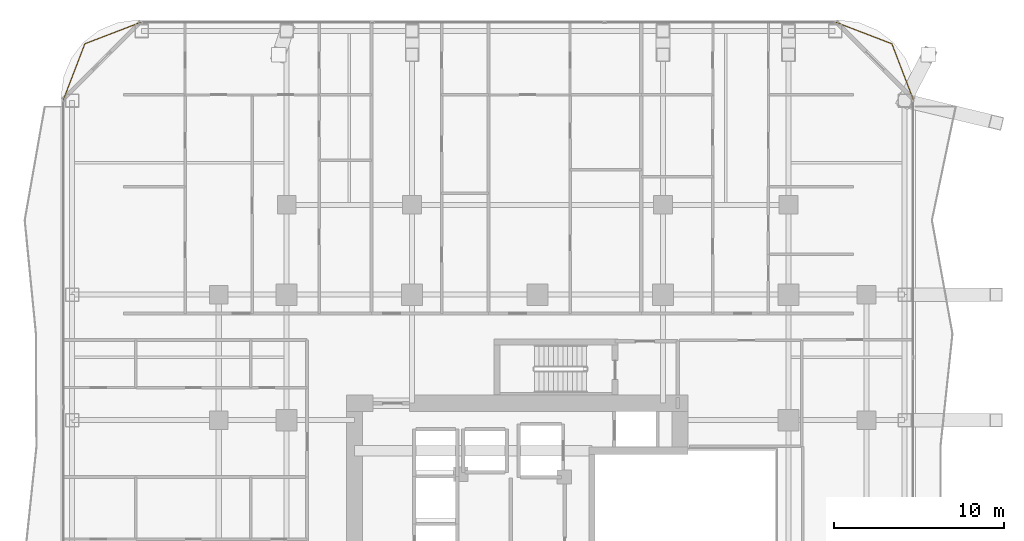
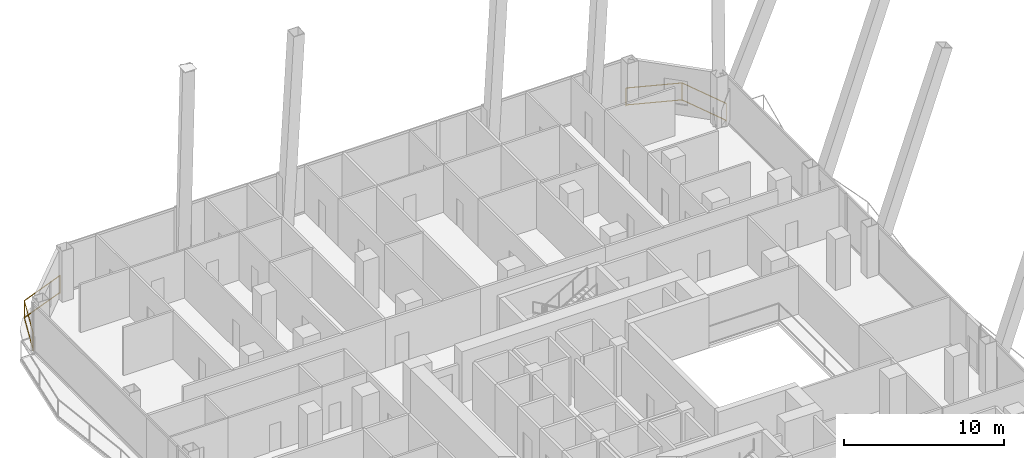
# One storey, part 32 of 32: 2 railings.
"""IFC4 building model written with IfcOpenShell, lengths in metres."""

from ifc_helpers import new_model, si_unit, direction, frame, origin, origin_2d, place, context, subcontext, project, spatial, rectangle, extrude, material, type_object, element, save


model = new_model("IFC4")

# Units and contexts
model_context = context("Model", 3, precision=1e-05, world=origin(), true_north=direction((0.0, 1.0)))
body_context = subcontext(model_context, "Body", "Model", "MODEL_VIEW")
ifc_project = project(units=[si_unit("LENGTHUNIT", "METRE"), si_unit("AREAUNIT", "SQUARE_METRE"), si_unit("VOLUMEUNIT", "CUBIC_METRE"), si_unit("PLANEANGLEUNIT", "RADIAN"), si_unit("MASSUNIT", "GRAM", prefix="KILO")], contexts=[model_context])

# Site, building, storey
site_placement = place(None, origin())
site = spatial("IfcSite", under=ifc_project, at=site_placement, CompositionType="ELEMENT")
building_placement = place(site_placement, origin())
building = spatial("IfcBuilding", under=site, at=building_placement, Name="Khorvyn Point Tower", CompositionType="ELEMENT")
storey_placement = place(building_placement, frame((0.0, 0.0, 93.0)))
storey = spatial("IfcBuildingStorey", under=building, at=storey_placement, Name="L23", CompositionType="ELEMENT", Elevation=93.0)

# Railings
ifc_material = material(Name="Anodised aluminium 6063-T6 and laminated safety glass", Category="aluminium")
railing_type = type_object("IfcRailingType", Name="Laminated Glass and Aluminium Balcony Guardrail 1400", PredefinedType="BALUSTRADE", material=ifc_material)
railing_1_placement = place(storey_placement, frame((-23.370849609375, 30.8740234375, 0.0)))
element("IfcRailing", 1, at=railing_1_placement, inside=storey, type_object=railing_type, Name="L23 Rounded Corner Edge Guardrail NW", PredefinedType="BALUSTRADE", context=body_context, shape_type="SweptSolid", body=[
    extrude(rectangle(XDim=0.048095703125, YDim=0.048095703125, at=origin_2d()), frame((0.0, 0.0, 1.3759765625), z_axis=(-0.933575007025, -0.358382067435, 0.0), x_axis=(0.358382067435, -0.933575007025, 0.0)), (0.0, 0.0, 1.0), 3.562744140625),
    extrude(rectangle(XDim=0.048095703125, YDim=0.048095703125, at=origin_2d()), frame((0.0, 0.0, 0.080078125), z_axis=(-0.933575007025, -0.358382067435, 0.0), x_axis=(0.358382067435, -0.933575007025, 0.0)), (0.0, 0.0, 1.0), 3.562744140625),
    extrude(rectangle(XDim=0.048095703125, YDim=0.048095703125, at=origin_2d()), frame((-3.326171875, -1.27685546875, 1.3759765625), z_axis=(-0.35841886047, -0.933560882031, 0.0), x_axis=(0.933560882031, -0.35841886047, 0.0)), (0.0, 0.0, 1.0), 3.563232421875),
    extrude(rectangle(XDim=0.048095703125, YDim=0.048095703125, at=origin_2d()), frame((-3.326171875, -1.27685546875, 0.080078125), z_axis=(-0.35841886047, -0.933560882031, 0.0), x_axis=(0.933560882031, -0.35841886047, 0.0)), (0.0, 0.0, 1.0), 3.563232421875),
    extrude(rectangle(XDim=0.0419921875, YDim=0.0419921875, at=origin_2d()), origin(), (0.0, 0.0, 1.0), 1.351806640625),
    extrude(rectangle(XDim=0.0419921875, YDim=0.0419921875, at=origin_2d()), frame((-3.326171875, -1.27685546875, 0.0)), (0.0, 0.0, 1.0), 1.351806640625),
    extrude(rectangle(XDim=0.0419921875, YDim=0.0419921875, at=origin_2d()), frame((-4.603271484375, -4.603271484375, 0.0)), (0.0, 0.0, 1.0), 1.351806640625),
])
railing_2_placement = place(storey_placement, frame((22.174072265625, 26.270751953125, 0.0)))
element("IfcRailing", 2, at=railing_2_placement, inside=storey, type_object=railing_type, Name="L23 Rounded Corner Edge Guardrail NE", PredefinedType="BALUSTRADE", context=body_context, shape_type="SweptSolid", body=[
    extrude(rectangle(XDim=0.048095703125, YDim=0.048095703125, at=origin_2d()), frame((0.0, 0.0, 1.3759765625), z_axis=(-0.358359142172, 0.933583807283, 0.0), x_axis=(-0.933583807283, -0.358359142172, 0.0)), (0.0, 0.0, 1.0), 3.56298828125),
    extrude(rectangle(XDim=0.048095703125, YDim=0.048095703125, at=origin_2d()), frame((0.0, 0.0, 0.080078125), z_axis=(-0.358359142172, 0.933583807283, 0.0), x_axis=(-0.933583807283, -0.358359142172, 0.0)), (0.0, 0.0, 1.0), 3.56298828125),
    extrude(rectangle(XDim=0.048095703125, YDim=0.048095703125, at=origin_2d()), frame((-1.27685546875, 3.326416015625, 1.3759765625), z_axis=(-0.933583807283, 0.358359142172, 0.0), x_axis=(-0.358359142172, -0.933583807283, 0.0)), (0.0, 0.0, 1.0), 3.56298828125),
    extrude(rectangle(XDim=0.048095703125, YDim=0.048095703125, at=origin_2d()), frame((-1.27685546875, 3.326416015625, 0.080078125), z_axis=(-0.933583807283, 0.358359142172, 0.0), x_axis=(-0.358359142172, -0.933583807283, 0.0)), (0.0, 0.0, 1.0), 3.56298828125),
    extrude(rectangle(XDim=0.0419921875, YDim=0.0419921875, at=origin_2d()), origin(), (0.0, 0.0, 1.0), 1.351806640625),
    extrude(rectangle(XDim=0.0419921875, YDim=0.0419921875, at=origin_2d()), frame((-1.27685546875, 3.326416015625, 0.0)), (0.0, 0.0, 1.0), 1.351806640625),
    extrude(rectangle(XDim=0.0419921875, YDim=0.0419921875, at=origin_2d()), frame((-4.603271484375, 4.603271484375, 0.0)), (0.0, 0.0, 1.0), 1.351806640625),
])

save(model, "model.ifc")
